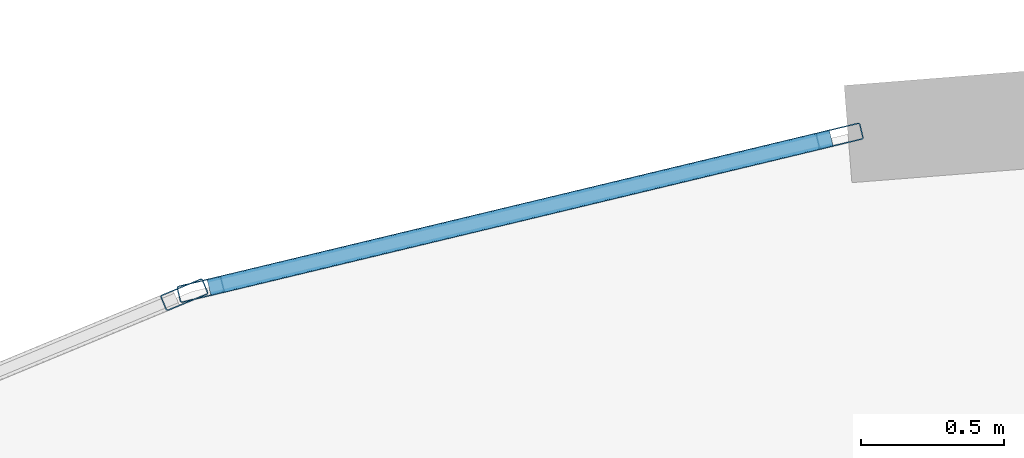
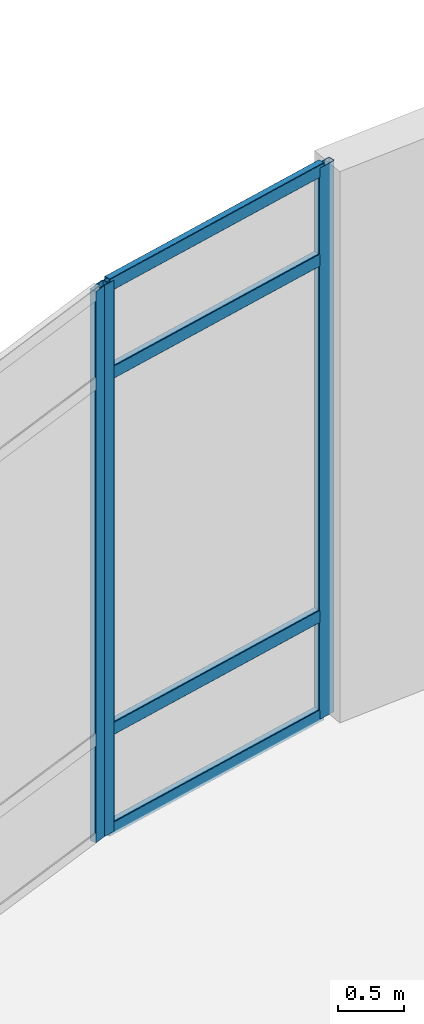
# One storey, part 38 of 114: 7 members, 2 elements without a shape of their own.
"""IFC4 building model written with IfcOpenShell, lengths in metres."""

import ifcopenshell
import ifcopenshell.guid

model = None  # the IFC model being written
_history = None  # IfcOwnerHistory: only IFC2X3 demands one
_inside = {}  # id of a spatial element -> (the spatial element, [elements in it])
_under = {}  # id of a project, library or spatial element -> (it, [spatial elements below it])
_declared = {}  # id of a project -> (the project, [libraries it declares])
_typed = {}  # id of a type object -> (the type object, [elements of that type])
_made_of = {}  # id of a material, layer set ... -> (it, [elements and type objects made of it])


def new_model(schema):
    """Start an empty IFC model of exactly this schema.

    Asked for "IFC4X3", IfcOpenShell would pick the latest addendum, in which some entities
    have other attributes; the version numbers below select the first issue.
    IFC2X3 requires an IfcOwnerHistory on every rooted entity: one is made here for all.
    """
    global model, _history
    if schema == "IFC4X3":
        model = ifcopenshell.file(schema_version=(4, 3, 0, 0))
    else:
        model = ifcopenshell.file(schema=schema)
    _inside.clear()
    _under.clear()
    _declared.clear()
    _typed.clear()
    _made_of.clear()
    _history = None
    if model.schema == "IFC2X3":
        org = make("IfcOrganization", Name="unknown")
        user = make(
            "IfcPersonAndOrganization",
            ThePerson=make("IfcPerson", FamilyName="unknown"),
            TheOrganization=org,
        )
        app = make(
            "IfcApplication",
            ApplicationDeveloper=org,
            Version="unknown",
            ApplicationFullName="unknown",
            ApplicationIdentifier="unknown",
        )
        _history = make(
            "IfcOwnerHistory",
            OwningUser=user,
            OwningApplication=app,
            ChangeAction="ADDED",
            CreationDate=0,
        )
    return model


def make(cls, **values):
    """One entity of the class cls with the attributes given. An attribute that is None is left unset."""
    return model.create_entity(
        cls, **{name: value for name, value in values.items() if value is not None}
    )


def rooted(cls, **values):
    """An entity with a GlobalId (a new one), such as an element, a storey or a relation."""
    return make(cls, GlobalId=ifcopenshell.guid.new(), OwnerHistory=_history, **values)


def si_unit(unit_type, name, prefix=None):
    """IfcSIUnit, for example si_unit("LENGTHUNIT", "METRE", prefix="MILLI")."""
    return make("IfcSIUnit", UnitType=unit_type, Prefix=prefix, Name=name)


def derived_unit(unit_type, elements):
    """IfcDerivedUnit: a product of units, each with its exponent."""
    return make(
        "IfcDerivedUnit",
        Elements=[
            make("IfcDerivedUnitElement", Unit=unit, Exponent=power)
            for unit, power in elements
        ],
        UnitType=unit_type,
    )


def assignment(units):
    """IfcUnitAssignment: the units of a project."""
    return None if units is None else make("IfcUnitAssignment", Units=units)


def point(xyz):
    """IfcCartesianPoint."""
    return None if xyz is None else make("IfcCartesianPoint", Coordinates=xyz)


def direction(xyz):
    """IfcDirection."""
    return None if xyz is None else make("IfcDirection", DirectionRatios=xyz)


def frame(location, z_axis=None, x_axis=None):
    """IfcAxis2Placement3D, a coordinate frame: its origin and axes. An axis left out is left unset."""
    return make(
        "IfcAxis2Placement3D",
        Location=point(location),
        Axis=direction(z_axis),
        RefDirection=direction(x_axis),
    )


def frame_2d(location, x_axis=None):
    """IfcAxis2Placement2D, a coordinate frame in the plane: its origin and x axis."""
    return make(
        "IfcAxis2Placement2D", Location=point(location), RefDirection=direction(x_axis)
    )


def origin():
    """The frame at (0, 0, 0) with its axes left unset."""
    return frame((0.0, 0.0, 0.0))


def origin_2d():
    """The frame at (0, 0) in the plane with its x axis left unset."""
    return frame_2d((0.0, 0.0))


def place(relative_to, where):
    """IfcLocalPlacement: puts the frame where relative to a parent placement (None: the world)."""
    return make(
        "IfcLocalPlacement", PlacementRelTo=relative_to, RelativePlacement=where
    )


def context(
    kind, dimensions, precision=None, world=None, true_north=None, identifier=None
):
    """IfcGeometricRepresentationContext, for example the 3D "Model" context."""
    return make(
        "IfcGeometricRepresentationContext",
        ContextIdentifier=identifier,
        ContextType=kind,
        CoordinateSpaceDimension=dimensions,
        Precision=precision,
        WorldCoordinateSystem=world,
        TrueNorth=true_north,
    )


def subcontext(parent, identifier, kind, view, scale=None):
    """IfcGeometricRepresentationSubContext, for example "Body" below "Model"."""
    return make(
        "IfcGeometricRepresentationSubContext",
        ContextIdentifier=identifier,
        ContextType=kind,
        ParentContext=parent,
        TargetScale=scale,
        TargetView=view,
    )


def project(units=None, contexts=None):
    """IfcProject with its units and contexts."""
    return rooted(
        "IfcProject",
        Name="project",
        RepresentationContexts=contexts,
        UnitsInContext=assignment(units),
    )


def spatial(cls, under=None, at=None, **own):
    """A site, building, storey or space (cls), placed at a placement, below another one or the project."""
    s = rooted(cls, ObjectPlacement=at, **own)
    if under is not None:
        _under.setdefault(under.id(), (under, []))[1].append(s)
    return s


def profile(cls, at=None, kind="AREA", **sizes):
    """A parametric profile (cls). Its sizes go by their IFC names, for example OverallWidth=200.0."""
    return make(cls, ProfileType=kind, Position=at, **sizes)


def hollow_rectangle(**sizes):
    """IfcRectangleHollowProfileDef."""
    return profile("IfcRectangleHollowProfileDef", **sizes)


def extrude(swept, where, along, depth):
    """IfcExtrudedAreaSolid: the profile swept, set in the frame where, extruded along a direction by depth."""
    return make(
        "IfcExtrudedAreaSolid",
        SweptArea=swept,
        Position=where,
        ExtrudedDirection=direction(along),
        Depth=depth,
    )


def shape(context_of_items, identifier, shape_type, items):
    """IfcShapeRepresentation: the items that make up one representation, for example the "Body"."""
    return make(
        "IfcShapeRepresentation",
        ContextOfItems=context_of_items,
        RepresentationIdentifier=identifier,
        RepresentationType=shape_type,
        Items=items,
    )


def material(Name=None, Category=None):
    """IfcMaterial."""
    return make("IfcMaterial", Name=Name, Category=Category)


def layer(
    of_material, thickness, ventilated=None, Name=None, Category=None, Priority=None
):
    """IfcMaterialLayer: one layer of a wall or slab, of a material (None: an air gap)."""
    return make(
        "IfcMaterialLayer",
        Material=of_material,
        LayerThickness=thickness,
        IsVentilated=ventilated,
        Name=Name,
        Category=Category,
        Priority=Priority,
    )


def layer_set(layers, Name=None):
    """IfcMaterialLayerSet."""
    return make("IfcMaterialLayerSet", MaterialLayers=layers, LayerSetName=Name)


def material_profile(
    of_material, cross_section, Name=None, Category=None, Priority=None
):
    """IfcMaterialProfile: a cross section and its material."""
    return make(
        "IfcMaterialProfile",
        Name=Name,
        Material=of_material,
        Profile=cross_section,
        Priority=Priority,
        Category=Category,
    )


def profile_set(profiles, Name=None, composite=None):
    """IfcMaterialProfileSet."""
    return make(
        "IfcMaterialProfileSet",
        Name=Name,
        MaterialProfiles=profiles,
        CompositeProfile=composite,
    )


def made_of(thing, what):
    """Note that an element or type object is made of a material, layer set ...; save() writes the relation."""
    if what is not None:
        _made_of.setdefault(what.id(), (what, []))[1].append(thing)
    return thing


def type_object(cls, material=None, **own):
    """A type object (cls), such as IfcWallType, which elements share."""
    return made_of(rooted(cls, **own), material)


def element(
    cls,
    number,
    at=None,
    inside=None,
    cuts=None,
    type_object=None,
    material=None,
    context=None,
    identifier="Body",
    shape_type=None,
    held_by="IfcProductDefinitionShape",
    body=None,
    shapes=None,
    **own,
):
    """One element of the class cls, such as IfcWall. Its Tag is "e" and its number.

    at: its placement. inside: the storey or other place that contains it. cuts: it is an
    opening in that element (IfcRelVoidsElement). A single representation is given by context,
    identifier, shape_type and body (its items); several are given by shapes. held_by: the class
    of the entity that holds the representations. save() writes the other relations.
    """
    e = rooted(cls, Tag="e%d" % number, ObjectPlacement=at, **own)
    if body is not None:
        shapes = [shape(context, identifier, shape_type, body)]
    if shapes is not None:
        e.Representation = make(held_by, Representations=shapes)
    if inside is not None:
        _inside.setdefault(inside.id(), (inside, []))[1].append(e)
    if cuts is not None:
        rooted(
            "IfcRelVoidsElement", RelatingBuildingElement=cuts, RelatedOpeningElement=e
        )
    if type_object is not None:
        _typed.setdefault(type_object.id(), (type_object, []))[1].append(e)
    return made_of(e, material)


def aggregate(whole, parts):
    """IfcRelAggregates: a whole, such as a stair, and the parts it consists of."""
    return rooted("IfcRelAggregates", RelatingObject=whole, RelatedObjects=parts)


def save(model, path):
    """Write the relations noted so far, then the file.

    IfcRelAggregates (storeys below a building ...), IfcRelContainedInSpatialStructure (elements
    in a storey), IfcRelDefinesByType, IfcRelAssociatesMaterial and IfcRelDeclares: one each for
    every whole, place, type object, material and project.
    """
    for whole, parts in _under.values():
        aggregate(whole, parts)
    for where, things in _inside.values():
        rooted(
            "IfcRelContainedInSpatialStructure",
            RelatedElements=things,
            RelatingStructure=where,
        )
    for kind, things in _typed.values():
        rooted("IfcRelDefinesByType", RelatedObjects=things, RelatingType=kind)
    for what, things in _made_of.values():
        rooted("IfcRelAssociatesMaterial", RelatedObjects=things, RelatingMaterial=what)
    for by, libraries in _declared.values():
        rooted("IfcRelDeclares", RelatingContext=by, RelatedDefinitions=libraries)
    model.write(path)


model = new_model("IFC4")

# Units and contexts
model_context = context("Model", 3, precision=1e-05, world=origin(), true_north=direction((0.0, 1.0)))
body_context = subcontext(model_context, "Body", "Model", "MODEL_VIEW")
ifc_project = project(units=[si_unit("LENGTHUNIT", "METRE"), si_unit("AREAUNIT", "SQUARE_METRE"), si_unit("VOLUMEUNIT", "CUBIC_METRE"), si_unit("PLANEANGLEUNIT", "RADIAN"), si_unit("MASSUNIT", "GRAM", prefix="KILO"), derived_unit("THERMALTRANSMITTANCEUNIT", [(si_unit("MASSUNIT", "GRAM", prefix="KILO"), 1), (si_unit("TIMEUNIT", "SECOND"), -3), (si_unit("THERMODYNAMICTEMPERATUREUNIT", "KELVIN"), -1)])], contexts=[model_context])

# Site, building, storey
site_placement = place(None, origin())
site = spatial("IfcSite", under=ifc_project, at=site_placement, CompositionType="ELEMENT")
building_placement = place(site_placement, origin())
building = spatial("IfcBuilding", under=site, at=building_placement, Name="Qinzheling Arcade Emporium", CompositionType="ELEMENT")
storey_placement = place(building_placement, frame((0.0, 0.0, 6.0)))
storey = spatial("IfcBuildingStorey", under=building, at=storey_placement, Name="L02", CompositionType="ELEMENT", Elevation=6.0)

# Curtain wall, member
ifc_material_1 = material(Name="Anodised aluminium and solar-control double glazing", Category="aluminium")
ifc_layer = layer(ifc_material_1, 0.159912109375, Name="Anodised aluminium and solar-control double glazing", Category="aluminium")
ifc_layer_set = layer_set([ifc_layer], Name="Anodised aluminium and solar-control double glazing")
curtain_wall_type = type_object("IfcCurtainWallType", Name="Curved Ribbon Sales Curtain Wall", PredefinedType="NOTDEFINED", material=ifc_layer_set)
curtain_wall_1_placement = place(storey_placement, origin())
curtain_wall_1 = element("IfcCurtainWall", 1, at=curtain_wall_1_placement, inside=storey, type_object=curtain_wall_type, Name="Curtain Wall CW-L02-091", PredefinedType="NOTDEFINED")
ifc_material_2 = material(Name="Anodised aluminium 6063-T6", Category="aluminium")
ifc_material_profile_1 = material_profile(ifc_material_2, hollow_rectangle(XDim=0.06005859375, YDim=0.159912109375, WallThickness=0.00390625, InnerFilletRadius=0.00390625, OuterFilletRadius=0.008056640625, at=origin_2d()), Name="RHS 160x60x4", Category="aluminium")
ifc_profile_set_1 = profile_set([ifc_material_profile_1], Name="Anodised aluminium 6063-T6")
member_type_1 = type_object("IfcMemberType", Name="Curtain Wall Mullion RHS160x60", PredefinedType="MULLION", material=ifc_profile_set_1)
member_1_placement = place(storey_placement, frame((19.037353515625, 64.654541015625, 0.0), z_axis=(0.0, 0.0, 1.0), x_axis=(-0.382714431752, 0.923866691535, 0.0)))
member_1 = element("IfcMember", 2, at=member_1_placement, type_object=member_type_1, Name="CW02 mullion 2", PredefinedType="MULLION", context=body_context, shape_type="SweptSolid", body=[
    extrude(hollow_rectangle(XDim=0.06005859375, YDim=0.159912109375, WallThickness=0.00390625, InnerFilletRadius=0.00390625, OuterFilletRadius=0.008056640625, at=origin_2d()), origin(), (0.0, 0.0, 1.0), 5.090087890625),
])
aggregate(curtain_wall_1, [member_1])

# Curtain wall, members
curtain_wall_2_placement = place(storey_placement, origin())
curtain_wall_2 = element("IfcCurtainWall", 3, at=curtain_wall_2_placement, inside=storey, type_object=curtain_wall_type, Name="Curtain Wall CW-L02-092", PredefinedType="NOTDEFINED")
member_2_placement = place(storey_placement, frame((19.09423828125, 64.673095703125, 0.0), z_axis=(0.0, 0.0, 1.0), x_axis=(-0.233324729854, 0.972398874145, 0.0)))
member_2 = element("IfcMember", 4, at=member_2_placement, type_object=member_type_1, Name="CW02 mullion 1", PredefinedType="MULLION", context=body_context, shape_type="SweptSolid", body=[
    extrude(hollow_rectangle(XDim=0.06005859375, YDim=0.159912109375, WallThickness=0.00390625, InnerFilletRadius=0.00390625, OuterFilletRadius=0.008056640625, at=origin_2d()), origin(), (0.0, 0.0, 1.0), 5.090087890625),
])
member_3_placement = place(storey_placement, frame((21.32373046875, 65.2080078125, 0.0), z_axis=(0.0, 0.0, 1.0), x_axis=(-0.233324729854, 0.972398874145, 0.0)))
member_3 = element("IfcMember", 5, at=member_3_placement, type_object=member_type_1, Name="CW02 mullion 2", PredefinedType="MULLION", context=body_context, shape_type="SweptSolid", body=[
    extrude(hollow_rectangle(XDim=0.06005859375, YDim=0.159912109375, WallThickness=0.00390625, InnerFilletRadius=0.00390625, OuterFilletRadius=0.008056640625, at=origin_2d()), origin(), (0.0, 0.0, 1.0), 5.090087890625),
])
ifc_material_profile_2 = material_profile(ifc_material_2, hollow_rectangle(XDim=0.06005859375, YDim=0.1201171875, WallThickness=0.00390625, InnerFilletRadius=0.00390625, OuterFilletRadius=0.008056640625, at=origin_2d()), Name="RHS 120x60x4", Category="aluminium")
ifc_profile_set_2 = profile_set([ifc_material_profile_2], Name="Anodised aluminium 6063-T6")
member_type_2 = type_object("IfcMemberType", Name="Curtain Wall Transom RHS120x60", PredefinedType="USERDEFINED", material=ifc_profile_set_2)
member_4_placement = place(storey_placement, frame((19.123291015625, 64.679931640625, 0.030029296875), z_axis=(0.972401194222, 0.233315060543, 0.0), x_axis=(-0.233315060543, 0.972401194222, 0.0)))
member_4 = element("IfcMember", 6, at=member_4_placement, type_object=member_type_2, Name="CW02 transom 1.1", ObjectType="TRANSOM", PredefinedType="USERDEFINED", context=body_context, shape_type="SweptSolid", body=[
    extrude(hollow_rectangle(XDim=0.06005859375, YDim=0.1201171875, WallThickness=0.00390625, InnerFilletRadius=0.00390625, OuterFilletRadius=0.008056640625, at=origin_2d()), origin(), (0.0, 0.0, 1.0), 2.23291015625),
])
member_5_placement = place(storey_placement, frame((19.123291015625, 64.679931640625, 0.949951171875), z_axis=(0.972401194222, 0.233315060543, 0.0), x_axis=(-0.233315060543, 0.972401194222, 0.0)))
member_5 = element("IfcMember", 7, at=member_5_placement, type_object=member_type_2, Name="CW02 transom 1.2", ObjectType="TRANSOM", PredefinedType="USERDEFINED", context=body_context, shape_type="SweptSolid", body=[
    extrude(hollow_rectangle(XDim=0.06005859375, YDim=0.1201171875, WallThickness=0.00390625, InnerFilletRadius=0.00390625, OuterFilletRadius=0.008056640625, at=origin_2d()), origin(), (0.0, 0.0, 1.0), 2.23291015625),
])
member_6_placement = place(storey_placement, frame((19.123291015625, 64.679931640625, 4.239990234375), z_axis=(0.972401194222, 0.233315060543, 0.0), x_axis=(-0.233315060543, 0.972401194222, 0.0)))
member_6 = element("IfcMember", 8, at=member_6_placement, type_object=member_type_2, Name="CW02 transom 1.3", ObjectType="TRANSOM", PredefinedType="USERDEFINED", context=body_context, shape_type="SweptSolid", body=[
    extrude(hollow_rectangle(XDim=0.06005859375, YDim=0.1201171875, WallThickness=0.00390625, InnerFilletRadius=0.00390625, OuterFilletRadius=0.008056640625, at=origin_2d()), origin(), (0.0, 0.0, 1.0), 2.23291015625),
])
member_7_placement = place(storey_placement, frame((19.123291015625, 64.679931640625, 5.06005859375), z_axis=(0.972401194222, 0.233315060543, 0.0), x_axis=(-0.233315060543, 0.972401194222, 0.0)))
member_7 = element("IfcMember", 9, at=member_7_placement, type_object=member_type_2, Name="CW02 transom 1.4", ObjectType="TRANSOM", PredefinedType="USERDEFINED", context=body_context, shape_type="SweptSolid", body=[
    extrude(hollow_rectangle(XDim=0.06005859375, YDim=0.1201171875, WallThickness=0.00390625, InnerFilletRadius=0.00390625, OuterFilletRadius=0.008056640625, at=origin_2d()), origin(), (0.0, 0.0, 1.0), 2.23291015625),
])
aggregate(curtain_wall_2, [member_2, member_3, member_4, member_5, member_6, member_7])

save(model, "model.ifc")
